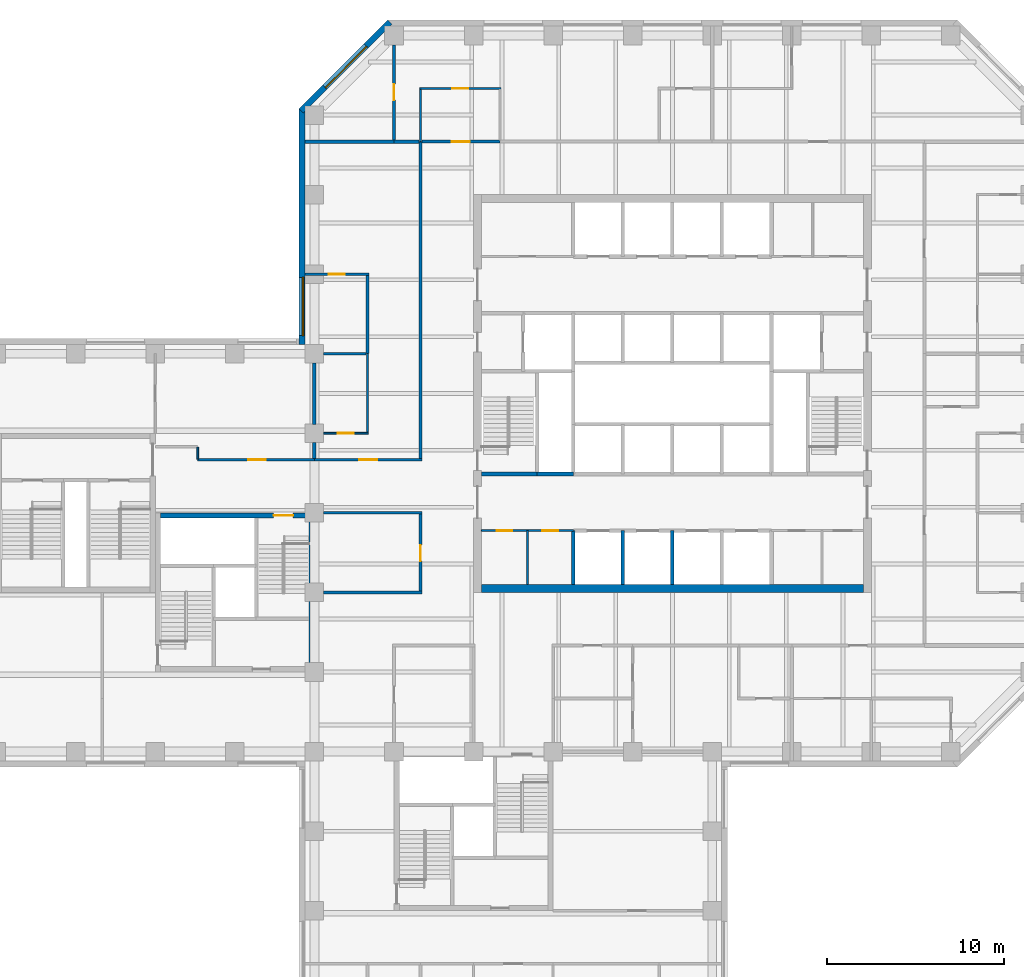
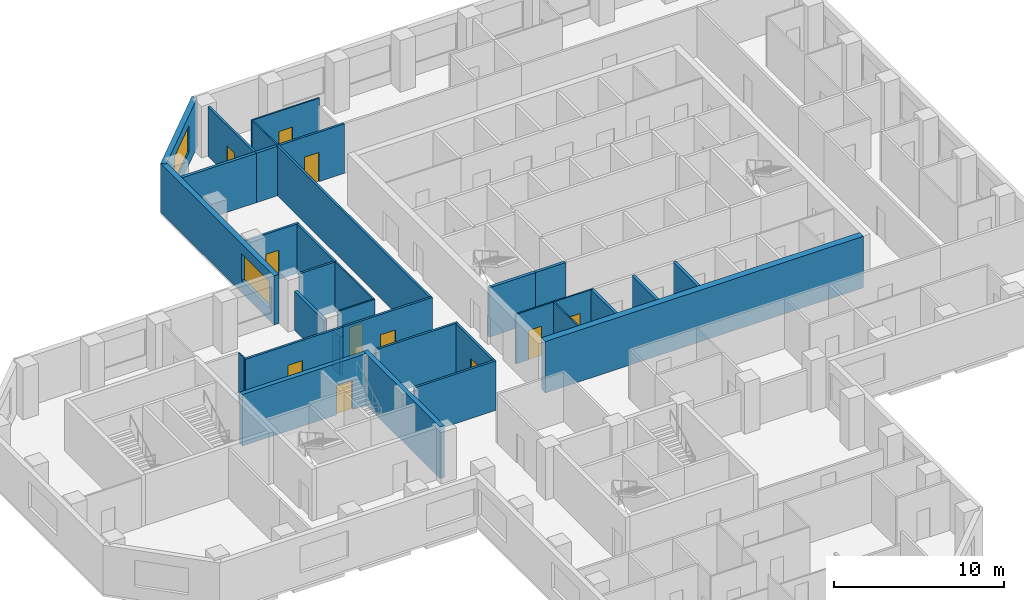
# One storey, part 6 of 11: 32 walls, 11 doors, 2 windows, 13 openings.
"""IFC4 building model written with IfcOpenShell, lengths in metres."""

from ifc_helpers import new_model, si_unit, direction, frame, frame_2d, origin, place, context, subcontext, project, spatial, rectangle, extrude, material, layer, layer_set, constituent, constituent_set, type_object, element, fill, save


model = new_model("IFC4")

# Units and contexts
model_context = context("Model", 3, precision=1e-05, world=origin(), true_north=direction((0.0, 1.0)))
body_context = subcontext(model_context, "Body", "Model", "MODEL_VIEW")
ifc_project = project(units=[si_unit("LENGTHUNIT", "METRE"), si_unit("AREAUNIT", "SQUARE_METRE"), si_unit("VOLUMEUNIT", "CUBIC_METRE"), si_unit("PLANEANGLEUNIT", "RADIAN"), si_unit("MASSUNIT", "GRAM", prefix="KILO")], contexts=[model_context])

# Site, building, storey
site_placement = place(None, origin())
site = spatial("IfcSite", under=ifc_project, at=site_placement, CompositionType="ELEMENT")
building_placement = place(site_placement, origin())
building = spatial("IfcBuilding", under=site, at=building_placement, Name="Quoin Convention Tower", CompositionType="ELEMENT")
storey_placement = place(building_placement, frame((0.0, 0.0, 130.699951171875)))
storey = spatial("IfcBuildingStorey", under=building, at=storey_placement, Name="L34", CompositionType="ELEMENT", Elevation=130.699951171875)

# Wall
ifc_material_1 = material(Name="Plasterboard")
ifc_layer_1 = layer(ifc_material_1, 0.012451171875, Name="Finish")
ifc_material_2 = material(Name="Steel stud framing", Category="steel")
ifc_layer_2 = layer(ifc_material_2, 0.125, Name="Structure")
ifc_layer_3 = layer(ifc_material_1, 0.012451171875, Name="Finish")
ifc_layer_set_1 = layer_set([ifc_layer_1, ifc_layer_2, ifc_layer_3], Name="Steel stud framing")
wall_type_1 = type_object("IfcWallType", Name="Acoustic partition 150", PredefinedType="PARTITIONING", material=ifc_layer_set_1)
wall_1_placement = place(storey_placement, frame((36.52490234375, 63.0, 0.0), z_axis=(0.0, 0.0, 1.0), x_axis=(1.0, 0.0, 0.0)))
element("IfcWall", 1, at=wall_1_placement, inside=storey, type_object=wall_type_1, Name="pw-L34-042", PredefinedType="PARTITIONING", context=body_context, shape_type="SweptSolid", body=[
    extrude(rectangle(XDim=2.400146484375, YDim=0.14990234375, at=frame_2d((1.2001953125, 0.0))), origin(), (0.0, 0.0, 1.0), 3.550048828125),
])

# Wall, opening, door
wall_2_placement = place(storey_placement, frame((35.47509765625, 67.5, 0.0), z_axis=(0.0, 0.0, 1.0), x_axis=(1.0, 0.0, 0.0)))
wall_2 = element("IfcWall", 2, at=wall_2_placement, inside=storey, type_object=wall_type_1, Name="pw-L34-045", PredefinedType="PARTITIONING", context=body_context, shape_type="SweptSolid", body=[
    extrude(rectangle(XDim=3.599853515625, YDim=0.14990234375, at=frame_2d((1.7998046875, 0.0))), origin(), (0.0, 0.0, 1.0), 3.550048828125),
])
opening_1_placement = place(wall_2_placement, frame((1.35009765625, 0.0, 0.0)))
opening_1 = element("IfcOpeningElement", 3, at=opening_1_placement, cuts=wall_2, Name="Opening DOL7-19", PredefinedType="OPENING", context=body_context, shape_type="SweptSolid", body=[
    extrude(rectangle(XDim=0.89990234375, YDim=2.10009765625, at=frame_2d((0.449951171875, 1.050048828125))), frame((0.0, 0.0849609375, 0.0), z_axis=(0.0, -1.0, 0.0), x_axis=(1.0, 0.0, 0.0)), (0.0, 0.0, 1.0), 0.169921875),
])
ifc_material_3 = material(Name="Steel door leaf", Category="steel")
door_type_1 = type_object("IfcDoorType", Name="Office door 900 x 2100", OperationType="SINGLE_SWING_RIGHT", PredefinedType="DOOR", material=ifc_material_3)
door_1_placement = place(opening_1_placement, origin())
door_1 = element("IfcDoor", 4, at=door_1_placement, inside=storey, type_object=door_type_1, Name="dr-L34-40", OperationType="SINGLE_SWING_RIGHT", OverallHeight=2.10009765625, OverallWidth=0.89990234375, PredefinedType="DOOR", context=body_context, shape_type="SweptSolid", body=[
    extrude(rectangle(XDim=0.89990234375, YDim=2.10009765625, at=frame_2d((0.449951171875, 1.050048828125))), frame((0.0, 0.02490234375, 0.0), z_axis=(0.0, -1.0, 0.0), x_axis=(1.0, 0.0, 0.0)), (0.0, 0.0, 1.0), 0.050048828125),
])
fill(opening_1, door_1)

# Wall
wall_3_placement = place(storey_placement, frame((39.0, 63.0, 0.0), z_axis=(0.0, 0.0, 1.0), x_axis=(0.0, 1.0, 0.0)))
element("IfcWall", 5, at=wall_3_placement, inside=storey, type_object=wall_type_1, Name="pw-L34-098", PredefinedType="PARTITIONING", context=body_context, shape_type="SweptSolid", body=[
    extrude(rectangle(XDim=4.425048828125, YDim=0.14990234375, at=frame_2d((2.21240234375, 0.0))), origin(), (0.0, 0.0, 1.0), 3.550048828125),
])

# Wall, opening, door
wall_4_placement = place(storey_placement, frame((40.5, 75.10009765625, 0.0), z_axis=(0.0, 0.0, 1.0), x_axis=(0.0, 1.0, 0.0)))
wall_4 = element("IfcWall", 6, at=wall_4_placement, inside=storey, type_object=wall_type_1, Name="pw-L34-106", PredefinedType="PARTITIONING", context=body_context, shape_type="SweptSolid", body=[
    extrude(rectangle(XDim=5.375, YDim=0.14990234375, at=frame_2d((2.6875, 0.0))), origin(), (0.0, 0.0, 1.0), 3.550048828125),
])
opening_2_placement = place(wall_4_placement, frame((2.25, 0.0, 0.0)))
opening_2 = element("IfcOpeningElement", 7, at=opening_2_placement, cuts=wall_4, Name="Opening DOL7-35", PredefinedType="OPENING", context=body_context, shape_type="SweptSolid", body=[
    extrude(rectangle(XDim=0.89990234375, YDim=2.10009765625, at=frame_2d((0.449951171875, 1.050048828125))), frame((0.0, 0.0849609375, 0.0), z_axis=(0.0, -1.0, 0.0), x_axis=(1.0, 0.0, 0.0)), (0.0, 0.0, 1.0), 0.169921875),
])
door_2_placement = place(opening_2_placement, frame((0.89990234375, 0.0, 0.0), z_axis=(0.0, 0.0, 1.0), x_axis=(-1.0, 0.0, 0.0)))
door_2 = element("IfcDoor", 8, at=door_2_placement, inside=storey, type_object=door_type_1, Name="dr-L34-35", OperationType="SINGLE_SWING_LEFT", OverallHeight=2.10009765625, OverallWidth=0.89990234375, PredefinedType="DOOR", context=body_context, shape_type="SweptSolid", body=[
    extrude(rectangle(XDim=0.89990234375, YDim=2.10009765625, at=frame_2d((0.449951171875, 1.050048828125))), frame((0.0, 0.02490234375, 0.0), z_axis=(0.0, -1.0, 0.0), x_axis=(1.0, 0.0, 0.0)), (0.0, 0.0, 1.0), 0.050048828125),
])
fill(opening_2, door_2)

# Wall, opening, window
ifc_material_4 = material(Name="Brick masonry", Category="masonry")
ifc_layer_4 = layer(ifc_material_4, 0.35009765625)
ifc_layer_set_2 = layer_set([ifc_layer_4], Name="Brick masonry")
wall_type_2 = type_object("IfcWallType", Name="Brick facade wall", PredefinedType="STANDARD", material=ifc_layer_set_2)
wall_5_placement = place(storey_placement, frame((40.26123046875, 81.751220703125, 0.0), z_axis=(0.0, 0.0, 1.0), x_axis=(-0.707106781187, -0.707106781187, 0.0)))
wall_5 = element("IfcWall", 9, at=wall_5_placement, inside=storey, type_object=wall_type_2, Name="fw-L34-40500_81000", PredefinedType="STANDARD", context=body_context, shape_type="SweptSolid", body=[
    extrude(rectangle(XDim=7.088623046875, YDim=0.35009765625, at=frame_2d((3.54443359375, 0.0))), origin(), (0.0, 0.0, 1.0), 3.525146484375),
])
opening_3_placement = place(wall_5_placement, frame((1.894287109375, 0.0, 0.89990234375)))
opening_3 = element("IfcOpeningElement", 10, at=opening_3_placement, cuts=wall_5, Name="Opening W-02", PredefinedType="OPENING", context=body_context, shape_type="SweptSolid", body=[
    extrude(rectangle(XDim=3.300048828125, YDim=1.89990234375, at=frame_2d((1.64990234375, 0.949951171875))), frame((0.0, 0.18505859375, 0.0), z_axis=(0.0, -1.0, 0.0), x_axis=(1.0, 0.0, 0.0)), (0.0, 0.0, 1.0), 0.3701171875),
])
ifc_material_5 = material(Name="Aluminium", Category="aluminium")
ifc_constituent_1 = constituent(ifc_material_5, Name="Frame")
ifc_material_6 = material(Name="Insulated glass", Category="glass")
ifc_constituent_2 = constituent(ifc_material_6, Name="Glazing")
ifc_constituent_set = constituent_set(constituents=[ifc_constituent_1, ifc_constituent_2], Name="Aluminium")
window_type = type_object("IfcWindowType", Name="Office window", PartitioningType="DOUBLE_PANEL_VERTICAL", PredefinedType="WINDOW", material=ifc_constituent_set)
window_1_placement = place(opening_3_placement, origin())
window_1 = element("IfcWindow", 11, at=window_1_placement, inside=storey, type_object=window_type, Name="win-L34-37755_79245", OverallHeight=1.89990234375, OverallWidth=3.300048828125, PartitioningType="SINGLE_PANEL", PredefinedType="WINDOW", context=body_context, shape_type="SweptSolid", body=[
    extrude(rectangle(XDim=3.300048828125, YDim=1.89990234375, at=frame_2d((1.64990234375, 0.949951171875))), frame((0.0, 0.0849609375, 0.0), z_axis=(0.0, -1.0, 0.0), x_axis=(1.0, 0.0, 0.0)), (0.0, 0.0, 1.0), 0.06005859375),
])
fill(opening_3, window_1)

wall_6_placement = place(storey_placement, frame((35.300048828125, 76.8623046875, 0.0), z_axis=(0.0, 0.0, 1.0), x_axis=(0.0, -1.0, 0.0)))
wall_6 = element("IfcWall", 12, at=wall_6_placement, inside=storey, type_object=wall_type_2, Name="fw-L34-36000_76500", PredefinedType="STANDARD", context=body_context, shape_type="SweptSolid", body=[
    extrude(rectangle(XDim=13.33740234375, YDim=0.35009765625, at=frame_2d((6.668701171875, 0.0))), origin(), (0.0, 0.0, 1.0), 3.525146484375),
])
opening_4_placement = place(wall_6_placement, frame((9.537353515625, 0.0, 0.89990234375)))
opening_4 = element("IfcOpeningElement", 13, at=opening_4_placement, cuts=wall_6, Name="Opening W-02", PredefinedType="OPENING", context=body_context, shape_type="SweptSolid", body=[
    extrude(rectangle(XDim=3.300048828125, YDim=1.89990234375, at=frame_2d((1.64990234375, 0.949951171875))), frame((0.0, 0.18505859375, 0.0), z_axis=(0.0, -1.0, 0.0), x_axis=(1.0, 0.0, 0.0)), (0.0, 0.0, 1.0), 0.3701171875),
])
window_2_placement = place(opening_4_placement, origin())
window_2 = element("IfcWindow", 14, at=window_2_placement, inside=storey, type_object=window_type, Name="win-L34-35300_65250", OverallHeight=1.89990234375, OverallWidth=3.300048828125, PartitioningType="SINGLE_PANEL", PredefinedType="WINDOW", context=body_context, shape_type="SweptSolid", body=[
    extrude(rectangle(XDim=3.300048828125, YDim=1.89990234375, at=frame_2d((1.64990234375, 0.949951171875))), frame((0.0, 0.0849609375, 0.0), z_axis=(0.0, -1.0, 0.0), x_axis=(1.0, 0.0, 0.0)), (0.0, 0.0, 1.0), 0.06005859375),
])
fill(opening_4, window_2)

# Wall, openings, doors
ifc_layer_5 = layer(ifc_material_1, 0.012451171875, Name="Finish")
ifc_layer_6 = layer(ifc_material_2, 0.074951171875, Name="Structure")
ifc_layer_7 = layer(ifc_material_1, 0.012451171875, Name="Finish")
ifc_layer_set_3 = layer_set([ifc_layer_5, ifc_layer_6, ifc_layer_7], Name="Steel stud framing")
wall_type_3 = type_object("IfcWallType", Name="Core partition wall", PredefinedType="PARTITIONING", material=ifc_layer_set_3)
wall_7_placement = place(storey_placement, frame((45.449951171875, 53.0, 0.0), z_axis=(0.0, 0.0, 1.0), x_axis=(1.0, 0.0, 0.0)))
wall_7 = element("IfcWall", 15, at=wall_7_placement, inside=storey, type_object=wall_type_3, Name="cr-C1-L34-h3500_450", PredefinedType="PARTITIONING", context=body_context, shape_type="SweptSolid", body=[
    extrude(rectangle(XDim=5.199951171875, YDim=0.10009765625, at=frame_2d((2.60009765625, 0.0))), origin(), (0.0, 0.0, 1.0), 3.550048828125),
])
opening_5_placement = place(wall_7_placement, frame((0.85009765625, 0.0, 0.0)))
opening_5 = element("IfcOpeningElement", 16, at=opening_5_placement, cuts=wall_7, Name="Opening DCV0-47", PredefinedType="OPENING", context=body_context, shape_type="SweptSolid", body=[
    extrude(rectangle(XDim=0.89990234375, YDim=2.10009765625, at=frame_2d((0.449951171875, 1.050048828125))), frame((0.0, 0.06005859375, 0.0), z_axis=(0.0, -1.0, 0.0), x_axis=(1.0, 0.0, 0.0)), (0.0, 0.0, 1.0), 0.1201171875),
])
opening_6_placement = place(wall_7_placement, frame((3.449951171875, 0.0, 0.0)))
opening_6 = element("IfcOpeningElement", 17, at=opening_6_placement, cuts=wall_7, Name="Opening DCV0-48", PredefinedType="OPENING", context=body_context, shape_type="SweptSolid", body=[
    extrude(rectangle(XDim=0.89990234375, YDim=2.10009765625, at=frame_2d((0.449951171875, 1.050048828125))), frame((0.0, 0.06005859375, 0.0), z_axis=(0.0, -1.0, 0.0), x_axis=(1.0, 0.0, 0.0)), (0.0, 0.0, 1.0), 0.1201171875),
])
door_type_2 = type_object("IfcDoorType", Name="Core room door 900 x 2100", OperationType="SINGLE_SWING_LEFT", PredefinedType="DOOR", material=ifc_material_3)
door_3_placement = place(opening_5_placement, frame((0.89990234375, 0.0, 0.0), z_axis=(0.0, 0.0, 1.0), x_axis=(-1.0, 0.0, 0.0)))
door_3 = element("IfcDoor", 18, at=door_3_placement, inside=storey, type_object=door_type_2, Name="cd-C1-L34-CSW0-lobA-CD3412", OperationType="SINGLE_SWING_LEFT", OverallHeight=2.10009765625, OverallWidth=0.89990234375, PredefinedType="DOOR", context=body_context, shape_type="SweptSolid", body=[
    extrude(rectangle(XDim=0.89990234375, YDim=2.10009765625, at=frame_2d((0.449951171875, 1.050048828125))), frame((0.0, 0.02490234375, 0.0), z_axis=(0.0, -1.0, 0.0), x_axis=(1.0, 0.0, 0.0)), (0.0, 0.0, 1.0), 0.050048828125),
])
fill(opening_5, door_3)
door_4_placement = place(opening_6_placement, frame((0.89990234375, 0.0, 0.0), z_axis=(0.0, 0.0, 1.0), x_axis=(-1.0, 0.0, 0.0)))
door_4 = element("IfcDoor", 19, at=door_4_placement, inside=storey, type_object=door_type_2, Name="cd-C1-L34-CSW1-lobA-CD3413", OperationType="SINGLE_SWING_LEFT", OverallHeight=2.10009765625, OverallWidth=0.89990234375, PredefinedType="DOOR", context=body_context, shape_type="SweptSolid", body=[
    extrude(rectangle(XDim=0.89990234375, YDim=2.10009765625, at=frame_2d((0.449951171875, 1.050048828125))), frame((0.0, 0.02490234375, 0.0), z_axis=(0.0, -1.0, 0.0), x_axis=(1.0, 0.0, 0.0)), (0.0, 0.0, 1.0), 0.050048828125),
])
fill(opening_6, door_4)

# Walls
wall_8_placement = place(storey_placement, frame((48.050048828125, 49.949951171875, 0.0), z_axis=(0.0, 0.0, 1.0), x_axis=(0.0, 1.0, 0.0)))
element("IfcWall", 20, at=wall_8_placement, inside=storey, type_object=wall_type_3, Name="cr-C1-L34-v3050_450", PredefinedType="PARTITIONING", context=body_context, shape_type="SweptSolid", body=[
    extrude(rectangle(XDim=3.050048828125, YDim=0.10009765625, at=frame_2d((1.52490234375, 0.0))), origin(), (0.0, 0.0, 1.0), 3.550048828125),
])
ifc_material_7 = material(Name="Concrete C50", Category="concrete")
ifc_layer_8 = layer(ifc_material_7, 0.199951171875)
ifc_layer_set_4 = layer_set([ifc_layer_8], Name="Concrete C50")
wall_type_4 = type_object("IfcWallType", Name="Core shaft wall", PredefinedType="SOLIDWALL", material=ifc_layer_set_4)
wall_9_placement = place(storey_placement, frame((48.60009765625, 56.199951171875, 0.0), z_axis=(0.0, 0.0, 1.0), x_axis=(1.0, 0.0, 0.0)))
element("IfcWall", 21, at=wall_9_placement, inside=storey, type_object=wall_type_4, Name="cr-C1-L34-h6700_3600", PredefinedType="SOLIDWALL", context=body_context, shape_type="SweptSolid", body=[
    extrude(rectangle(XDim=2.0498046875, YDim=0.199951171875, at=frame_2d((1.02490234375, 0.0))), origin(), (0.0, 0.0, 1.0), 3.550048828125),
])
wall_10_placement = place(storey_placement, frame((45.449951171875, 56.199951171875, 0.0), z_axis=(0.0, 0.0, 1.0), x_axis=(1.0, 0.0, 0.0)))
element("IfcWall", 22, at=wall_10_placement, inside=storey, type_object=wall_type_4, Name="cr-C1-L34-h6700_450", PredefinedType="SOLIDWALL", context=body_context, shape_type="SweptSolid", body=[
    extrude(rectangle(XDim=3.150146484375, YDim=0.199951171875, at=frame_2d((1.5751953125, 0.0))), origin(), (0.0, 0.0, 1.0), 3.550048828125),
])
for number, where, z_axis, x_axis, name in (
    (23, (50.64990234375, 49.949951171875, 0.0), (0.0, 0.0, 1.0), (0.0, 1.0, 0.0), "cr-C1-L34-v5650_450"),
    (24, (53.449951171875, 49.949951171875, 0.0), (0.0, 0.0, 1.0), (0.0, 1.0, 0.0), "cr-C1-L34-v8450_450"),
    (25, (56.25, 49.949951171875, 0.0), (0.0, 0.0, 1.0), (0.0, 1.0, 0.0), "cr-C1-L34-v11250_450"),
):
    element("IfcWall", number, at=place(storey_placement, frame(where, z_axis=z_axis, x_axis=x_axis)), inside=storey, type_object=wall_type_4, Name=name, PredefinedType="SOLIDWALL", context=body_context, shape_type="SweptSolid", body=[
        extrude(rectangle(XDim=3.050048828125, YDim=0.199951171875, at=frame_2d((1.52490234375, 0.0))), origin(), (0.0, 0.0, 1.0), 3.550048828125),
    ])
ifc_layer_9 = layer(ifc_material_1, 0.012451171875, Name="Finish")
ifc_layer_10 = layer(ifc_material_2, 0.125, Name="Structure")
ifc_layer_11 = layer(ifc_material_1, 0.012451171875, Name="Finish")
ifc_layer_set_5 = layer_set([ifc_layer_9, ifc_layer_10, ifc_layer_11], Name="Steel stud framing")
wall_type_5 = type_object("IfcWallType", Name="Corridor wall 150", PredefinedType="PARTITIONING", material=ifc_layer_set_5)
for number, where, z_axis, x_axis, name in (
    (26, (36.52490234375, 49.5, 0.0), (0.0, 0.0, 1.0), (1.0, 0.0, 0.0), "pw-L34-031"),
    (27, (36.52490234375, 54.0, 0.0), (0.0, 0.0, 1.0), (1.0, 0.0, 0.0), "pw-L34-034"),
):
    element("IfcWall", number, at=place(storey_placement, frame(where, z_axis=z_axis, x_axis=x_axis)), inside=storey, type_object=wall_type_5, Name=name, PredefinedType="PARTITIONING", context=body_context, shape_type="SweptSolid", body=[
        extrude(rectangle(XDim=5.550048828125, YDim=0.14990234375, at=frame_2d((2.77490234375, 0.0))), origin(), (0.0, 0.0, 1.0), 3.550048828125),
    ])

# Wall, opening, door
wall_11_placement = place(storey_placement, frame((29.3798828125, 57.0, 0.0), z_axis=(0.0, 0.0, 1.0), x_axis=(1.0, 0.0, 0.0)))
wall_11 = element("IfcWall", 28, at=wall_11_placement, inside=storey, type_object=wall_type_5, Name="pw-L34-036", PredefinedType="PARTITIONING", context=body_context, shape_type="SweptSolid", body=[
    extrude(rectangle(XDim=6.6201171875, YDim=0.14990234375, at=frame_2d((3.31005859375, 0.0))), origin(), (0.0, 0.0, 1.0), 3.550048828125),
])
opening_7_placement = place(wall_11_placement, frame((2.8798828125, 0.0, 0.0)))
opening_7 = element("IfcOpeningElement", 29, at=opening_7_placement, cuts=wall_11, Name="Opening DOL7-14", PredefinedType="OPENING", context=body_context, shape_type="SweptSolid", body=[
    extrude(rectangle(XDim=1.0, YDim=2.10009765625, at=frame_2d((0.5, 1.050048828125))), frame((0.0, 0.0849609375, 0.0), z_axis=(0.0, -1.0, 0.0), x_axis=(1.0, 0.0, 0.0)), (0.0, 0.0, 1.0), 0.169921875),
])
door_type_3 = type_object("IfcDoorType", Name="Tenancy entrance door 1000 x 2100", OperationType="DOUBLE_DOOR_SINGLE_SWING", PredefinedType="DOOR", material=ifc_material_3)
door_5_placement = place(opening_7_placement, origin())
door_5 = element("IfcDoor", 30, at=door_5_placement, inside=storey, type_object=door_type_3, Name="dr-L34-w01", OperationType="DOUBLE_DOOR_SINGLE_SWING", OverallHeight=2.10009765625, OverallWidth=1.0, PredefinedType="DOOR", context=body_context, shape_type="SweptSolid", body=[
    extrude(rectangle(XDim=1.0, YDim=2.10009765625, at=frame_2d((0.5, 1.050048828125))), frame((0.0, 0.02490234375, 0.0), z_axis=(0.0, -1.0, 0.0), x_axis=(1.0, 0.0, 0.0)), (0.0, 0.0, 1.0), 0.050048828125),
])
fill(opening_7, door_5)

wall_12_placement = place(storey_placement, frame((36.0, 57.0, 0.0), z_axis=(0.0, 0.0, 1.0), x_axis=(1.0, 0.0, 0.0)))
wall_12 = element("IfcWall", 31, at=wall_12_placement, inside=storey, type_object=wall_type_5, Name="pw-L34-037", PredefinedType="PARTITIONING", context=body_context, shape_type="SweptSolid", body=[
    extrude(rectangle(XDim=6.074951171875, YDim=0.14990234375, at=frame_2d((3.03759765625, 0.0))), origin(), (0.0, 0.0, 1.0), 3.550048828125),
])
opening_8_placement = place(wall_12_placement, frame((2.550048828125, 0.0, 0.0)))
opening_8 = element("IfcOpeningElement", 32, at=opening_8_placement, cuts=wall_12, Name="Opening DOL7-15", PredefinedType="OPENING", context=body_context, shape_type="SweptSolid", body=[
    extrude(rectangle(XDim=1.0, YDim=2.10009765625, at=frame_2d((0.5, 1.050048828125))), frame((0.0, 0.0849609375, 0.0), z_axis=(0.0, -1.0, 0.0), x_axis=(1.0, 0.0, 0.0)), (0.0, 0.0, 1.0), 0.169921875),
])
door_6_placement = place(opening_8_placement, origin())
door_6 = element("IfcDoor", 33, at=door_6_placement, inside=storey, type_object=door_type_3, Name="dr-L34-38", OperationType="DOUBLE_DOOR_SINGLE_SWING", OverallHeight=2.10009765625, OverallWidth=1.0, PredefinedType="DOOR", context=body_context, shape_type="SweptSolid", body=[
    extrude(rectangle(XDim=1.0, YDim=2.10009765625, at=frame_2d((0.5, 1.050048828125))), frame((0.0, 0.02490234375, 0.0), z_axis=(0.0, -1.0, 0.0), x_axis=(1.0, 0.0, 0.0)), (0.0, 0.0, 1.0), 0.050048828125),
])
fill(opening_8, door_6)

wall_13_placement = place(storey_placement, frame((42.074951171875, 75.0, 0.0), z_axis=(0.0, 0.0, 1.0), x_axis=(1.0, 0.0, 0.0)))
wall_13 = element("IfcWall", 34, at=wall_13_placement, inside=storey, type_object=wall_type_5, Name="pw-L34-050", PredefinedType="PARTITIONING", context=body_context, shape_type="SweptSolid", body=[
    extrude(rectangle(XDim=4.425048828125, YDim=0.14990234375, at=frame_2d((2.21240234375, 0.0))), origin(), (0.0, 0.0, 1.0), 3.550048828125),
])
opening_9_placement = place(wall_13_placement, frame((1.699951171875, 0.0, 0.0)))
opening_9 = element("IfcOpeningElement", 35, at=opening_9_placement, cuts=wall_13, Name="Opening DOL7-21", PredefinedType="OPENING", context=body_context, shape_type="SweptSolid", body=[
    extrude(rectangle(XDim=1.0, YDim=2.10009765625, at=frame_2d((0.5, 1.050048828125))), frame((0.0, 0.0849609375, 0.0), z_axis=(0.0, -1.0, 0.0), x_axis=(1.0, 0.0, 0.0)), (0.0, 0.0, 1.0), 0.169921875),
])
door_7_placement = place(opening_9_placement, frame((1.0, 0.0, 0.0), z_axis=(0.0, 0.0, 1.0), x_axis=(-1.0, 0.0, 0.0)))
door_7 = element("IfcDoor", 36, at=door_7_placement, inside=storey, type_object=door_type_3, Name="dr-L34-32", OperationType="DOUBLE_DOOR_SINGLE_SWING", OverallHeight=2.10009765625, OverallWidth=1.0, PredefinedType="DOOR", context=body_context, shape_type="SweptSolid", body=[
    extrude(rectangle(XDim=1.0, YDim=2.10009765625, at=frame_2d((0.5, 1.050048828125))), frame((0.0, 0.02490234375, 0.0), z_axis=(0.0, -1.0, 0.0), x_axis=(1.0, 0.0, 0.0)), (0.0, 0.0, 1.0), 0.050048828125),
])
fill(opening_9, door_7)

wall_14_placement = place(storey_placement, frame((42.0, 49.574951171875, 0.0), z_axis=(0.0, 0.0, 1.0), x_axis=(0.0, 1.0, 0.0)))
wall_14 = element("IfcWall", 37, at=wall_14_placement, inside=storey, type_object=wall_type_5, Name="pw-L34-087", PredefinedType="PARTITIONING", context=body_context, shape_type="SweptSolid", body=[
    extrude(rectangle(XDim=4.35009765625, YDim=0.14990234375, at=frame_2d((2.175048828125, 0.0))), origin(), (0.0, 0.0, 1.0), 3.550048828125),
])
opening_10_placement = place(wall_14_placement, frame((1.699951171875, 0.0, 0.0)))
opening_10 = element("IfcOpeningElement", 38, at=opening_10_placement, cuts=wall_14, Name="Opening DOL7-32", PredefinedType="OPENING", context=body_context, shape_type="SweptSolid", body=[
    extrude(rectangle(XDim=0.89990234375, YDim=2.10009765625, at=frame_2d((0.449951171875, 1.050048828125))), frame((0.0, 0.0849609375, 0.0), z_axis=(0.0, -1.0, 0.0), x_axis=(1.0, 0.0, 0.0)), (0.0, 0.0, 1.0), 0.169921875),
])
door_8_placement = place(opening_10_placement, origin())
door_8 = element("IfcDoor", 39, at=door_8_placement, inside=storey, type_object=door_type_1, Name="dr-L34-01", OperationType="SINGLE_SWING_RIGHT", OverallHeight=2.10009765625, OverallWidth=0.89990234375, PredefinedType="DOOR", context=body_context, shape_type="SweptSolid", body=[
    extrude(rectangle(XDim=0.89990234375, YDim=2.10009765625, at=frame_2d((0.449951171875, 1.050048828125))), frame((0.0, 0.02490234375, 0.0), z_axis=(0.0, -1.0, 0.0), x_axis=(1.0, 0.0, 0.0)), (0.0, 0.0, 1.0), 0.050048828125),
])
fill(opening_10, door_8)

# Wall
wall_15_placement = place(storey_placement, frame((42.0, 57.074951171875, 0.0), z_axis=(0.0, 0.0, 1.0), x_axis=(0.0, 1.0, 0.0)))
element("IfcWall", 40, at=wall_15_placement, inside=storey, type_object=wall_type_5, Name="pw-L34-091", PredefinedType="PARTITIONING", context=body_context, shape_type="SweptSolid", body=[
    extrude(rectangle(XDim=17.925048828125, YDim=0.14990234375, at=frame_2d((8.96240234375, 0.0))), origin(), (0.0, 0.0, 1.0), 3.550048828125),
])

# Wall, opening, door
ifc_material_8 = material(Name="Concrete C65", Category="concrete")
ifc_layer_12 = layer(ifc_material_8, 0.300048828125)
ifc_layer_set_6 = layer_set([ifc_layer_12], Name="Concrete C65")
wall_type_6 = type_object("IfcWallType", Name="RC CORE WALL 300 C65", PredefinedType="SHEAR", material=ifc_layer_set_6)
wall_16_placement = place(storey_placement, frame((27.300048828125, 53.85009765625, 0.0), z_axis=(0.0, 0.0, 1.0), x_axis=(1.0, 0.0, 0.0)))
wall_16 = element("IfcWall", 41, at=wall_16_placement, inside=storey, type_object=wall_type_6, Name="cwl-P2-L34-N", PredefinedType="SHEAR", context=body_context, shape_type="SweptSolid", body=[
    extrude(rectangle(XDim=8.39990234375, YDim=0.300048828125, at=frame_2d((4.199951171875, 0.0))), origin(), (0.0, 0.0, 1.0), 3.699951171875),
])
opening_11_placement = place(wall_16_placement, frame((6.39990234375, 0.0, 0.0)))
opening_11 = element("IfcOpeningElement", 42, at=opening_11_placement, cuts=wall_16, Name="Opening SD4", PredefinedType="OPENING", context=body_context, shape_type="SweptSolid", body=[
    extrude(rectangle(XDim=1.10009765625, YDim=2.10009765625, at=frame_2d((0.550048828125, 1.050048828125))), frame((0.0, 0.159912109375, 0.0), z_axis=(0.0, -1.0, 0.0), x_axis=(1.0, 0.0, 0.0)), (0.0, 0.0, 1.0), 0.320068359375),
])
door_type_4 = type_object("IfcDoorType", Name="Stair door 1100 x 2100", OperationType="SINGLE_SWING_RIGHT", PredefinedType="DOOR", material=ifc_material_3)
door_9_placement = place(opening_11_placement, frame((1.10009765625, 0.0, 0.0), z_axis=(0.0, 0.0, 1.0), x_axis=(-1.0, 0.0, 0.0)))
door_9 = element("IfcDoor", 43, at=door_9_placement, inside=storey, type_object=door_type_4, Name="cd-P2-L34-SB-N", OperationType="SINGLE_SWING_LEFT", OverallHeight=2.10009765625, OverallWidth=1.10009765625, PredefinedType="DOOR", context=body_context, shape_type="SweptSolid", body=[
    extrude(rectangle(XDim=1.10009765625, YDim=2.10009765625, at=frame_2d((0.550048828125, 1.050048828125))), frame((0.0, 0.02490234375, 0.0), z_axis=(0.0, -1.0, 0.0), x_axis=(1.0, 0.0, 0.0)), (0.0, 0.0, 1.0), 0.050048828125),
])
fill(opening_11, door_9)

# Walls
wall_17_placement = place(storey_placement, frame((35.85009765625, 45.0, 0.0), z_axis=(0.0, 0.0, 1.0), x_axis=(0.0, 1.0, 0.0)))
element("IfcWall", 44, at=wall_17_placement, inside=storey, type_object=wall_type_6, Name="cwl-P2-L34-E", PredefinedType="SHEAR", context=body_context, shape_type="SweptSolid", body=[
    extrude(rectangle(XDim=9.0, YDim=0.300048828125, at=frame_2d((4.5, 0.0))), origin(), (0.0, 0.0, 1.0), 3.699951171875),
])
ifc_layer_13 = layer(ifc_material_8, 0.449951171875)
ifc_layer_set_7 = layer_set([ifc_layer_13], Name="Concrete C65")
wall_type_7 = type_object("IfcWallType", Name="RC CORE WALL 450 C65", PredefinedType="SHEAR", material=ifc_layer_set_7)
wall_18_placement = place(storey_placement, frame((45.449951171875, 49.72509765625, 0.0), z_axis=(0.0, 0.0, 1.0), x_axis=(1.0, 0.0, 0.0)))
element("IfcWall", 45, at=wall_18_placement, inside=storey, type_object=wall_type_7, Name="cwl-C1-L34-S", PredefinedType="SHEAR", context=body_context, shape_type="SweptSolid", body=[
    extrude(rectangle(XDim=21.60009765625, YDim=0.449951171875, at=frame_2d((10.800048828125, 0.0))), origin(), (0.0, 0.0, 1.0), 3.699951171875),
])

# Wall, opening, door
ifc_layer_14 = layer(ifc_material_1, 0.012451171875, Name="Finish")
ifc_layer_15 = layer(ifc_material_2, 0.074951171875, Name="Structure")
ifc_layer_16 = layer(ifc_material_1, 0.012451171875, Name="Finish")
ifc_layer_set_8 = layer_set([ifc_layer_14, ifc_layer_15, ifc_layer_16], Name="Steel stud framing")
wall_type_8 = type_object("IfcWallType", Name="Stud partition 100", PredefinedType="PARTITIONING", material=ifc_layer_set_8)
wall_19_placement = place(storey_placement, frame((36.52490234375, 58.5, 0.0), z_axis=(0.0, 0.0, 1.0), x_axis=(1.0, 0.0, 0.0)))
wall_19 = element("IfcWall", 46, at=wall_19_placement, inside=storey, type_object=wall_type_8, Name="pw-L34-038", PredefinedType="PARTITIONING", context=body_context, shape_type="SweptSolid", body=[
    extrude(rectangle(XDim=2.525146484375, YDim=0.10009765625, at=frame_2d((1.2626953125, 0.0))), origin(), (0.0, 0.0, 1.0), 3.550048828125),
])
opening_12_placement = place(wall_19_placement, frame((0.800048828125, 0.0, 0.0)))
opening_12 = element("IfcOpeningElement", 47, at=opening_12_placement, cuts=wall_19, Name="Opening DOL7-16", PredefinedType="OPENING", context=body_context, shape_type="SweptSolid", body=[
    extrude(rectangle(XDim=0.89990234375, YDim=2.10009765625, at=frame_2d((0.449951171875, 1.050048828125))), frame((0.0, 0.06005859375, 0.0), z_axis=(0.0, -1.0, 0.0), x_axis=(1.0, 0.0, 0.0)), (0.0, 0.0, 1.0), 0.1201171875),
])
door_10_placement = place(opening_12_placement, frame((0.89990234375, 0.0, 0.0), z_axis=(0.0, 0.0, 1.0), x_axis=(-1.0, 0.0, 0.0)))
door_10 = element("IfcDoor", 48, at=door_10_placement, inside=storey, type_object=door_type_1, Name="dr-L34-39", OperationType="SINGLE_SWING_LEFT", OverallHeight=2.10009765625, OverallWidth=0.89990234375, PredefinedType="DOOR", context=body_context, shape_type="SweptSolid", body=[
    extrude(rectangle(XDim=0.89990234375, YDim=2.10009765625, at=frame_2d((0.449951171875, 1.050048828125))), frame((0.0, 0.02490234375, 0.0), z_axis=(0.0, -1.0, 0.0), x_axis=(1.0, 0.0, 0.0)), (0.0, 0.0, 1.0), 0.050048828125),
])
fill(opening_12, door_10)

wall_20_placement = place(storey_placement, frame((41.949951171875, 78.0, 0.0), z_axis=(0.0, 0.0, 1.0), x_axis=(1.0, 0.0, 0.0)))
wall_20 = element("IfcWall", 49, at=wall_20_placement, inside=storey, type_object=wall_type_8, Name="pw-L34-055", PredefinedType="PARTITIONING", context=body_context, shape_type="SweptSolid", body=[
    extrude(rectangle(XDim=4.60009765625, YDim=0.10009765625, at=frame_2d((2.300048828125, 0.0))), origin(), (0.0, 0.0, 1.0), 3.550048828125),
])
opening_13_placement = place(wall_20_placement, frame((1.85009765625, 0.0, 0.0)))
opening_13 = element("IfcOpeningElement", 50, at=opening_13_placement, cuts=wall_20, Name="Opening DOL7-23", PredefinedType="OPENING", context=body_context, shape_type="SweptSolid", body=[
    extrude(rectangle(XDim=0.89990234375, YDim=2.10009765625, at=frame_2d((0.449951171875, 1.050048828125))), frame((0.0, 0.06005859375, 0.0), z_axis=(0.0, -1.0, 0.0), x_axis=(1.0, 0.0, 0.0)), (0.0, 0.0, 1.0), 0.1201171875),
])
door_11_placement = place(opening_13_placement, origin())
door_11 = element("IfcDoor", 51, at=door_11_placement, inside=storey, type_object=door_type_1, Name="dr-L34-33", OperationType="SINGLE_SWING_RIGHT", OverallHeight=2.10009765625, OverallWidth=0.89990234375, PredefinedType="DOOR", context=body_context, shape_type="SweptSolid", body=[
    extrude(rectangle(XDim=0.89990234375, YDim=2.10009765625, at=frame_2d((0.449951171875, 1.050048828125))), frame((0.0, 0.02490234375, 0.0), z_axis=(0.0, -1.0, 0.0), x_axis=(1.0, 0.0, 0.0)), (0.0, 0.0, 1.0), 0.050048828125),
])
fill(opening_13, door_11)

# Walls
wall_21_placement = place(storey_placement, frame((39.0, 58.550048828125, 0.0), z_axis=(0.0, 0.0, 1.0), x_axis=(0.0, 1.0, 0.0)))
element("IfcWall", 52, at=wall_21_placement, inside=storey, type_object=wall_type_8, Name="pw-L34-092", PredefinedType="PARTITIONING", context=body_context, shape_type="SweptSolid", body=[
    extrude(rectangle(XDim=4.449951171875, YDim=0.10009765625, at=frame_2d((2.22509765625, 0.0))), origin(), (0.0, 0.0, 1.0), 3.550048828125),
])
wall_22_placement = place(storey_placement, frame((42.0, 75.0, 0.0), z_axis=(0.0, 0.0, 1.0), x_axis=(0.0, 1.0, 0.0)))
element("IfcWall", 53, at=wall_22_placement, inside=storey, type_object=wall_type_8, Name="pw-L34-102", PredefinedType="PARTITIONING", context=body_context, shape_type="SweptSolid", body=[
    extrude(rectangle(XDim=2.949951171875, YDim=0.10009765625, at=frame_2d((1.47509765625, 0.0))), origin(), (0.0, 0.0, 1.0), 3.550048828125),
])
wall_23_placement = place(storey_placement, frame((29.39990234375, 57.715087890625, 0.0), z_axis=(0.0, 0.0, 1.0), x_axis=(0.0, -1.0, 0.0)))
element("IfcWall", 54, at=wall_23_placement, inside=storey, type_object=wall_type_8, Name="pw-L34-w04", PredefinedType="PARTITIONING", context=body_context, shape_type="SweptSolid", body=[
    extrude(rectangle(XDim=0.68017578125, YDim=0.10009765625, at=frame_2d((0.340087890625, 0.0))), origin(), (0.0, 0.0, 1.0), 3.550048828125),
])
ifc_layer_17 = layer(ifc_material_1, 0.012451171875, Name="Finish")
ifc_layer_18 = layer(ifc_material_2, 0.175048828125, Name="Structure")
ifc_layer_19 = layer(ifc_material_1, 0.012451171875, Name="Finish")
ifc_layer_set_9 = layer_set([ifc_layer_17, ifc_layer_18, ifc_layer_19], Name="Steel stud framing")
wall_type_9 = type_object("IfcWallType", Name="Tenancy demising wall 200", PredefinedType="PARTITIONING", material=ifc_layer_set_9)
wall_24_placement = place(storey_placement, frame((35.47509765625, 75.0, 0.0), z_axis=(0.0, 0.0, 1.0), x_axis=(1.0, 0.0, 0.0)))
element("IfcWall", 55, at=wall_24_placement, inside=storey, type_object=wall_type_9, Name="pw-L34-048", PredefinedType="PARTITIONING", context=body_context, shape_type="SweptSolid", body=[
    extrude(rectangle(XDim=5.02490234375, YDim=0.199951171875, at=frame_2d((2.512451171875, 0.0))), origin(), (0.0, 0.0, 1.0), 3.550048828125),
])
wall_25_placement = place(storey_placement, frame((40.5, 75.0, 0.0), z_axis=(0.0, 0.0, 1.0), x_axis=(1.0, 0.0, 0.0)))
element("IfcWall", 56, at=wall_25_placement, inside=storey, type_object=wall_type_9, Name="pw-L34-049", PredefinedType="PARTITIONING", context=body_context, shape_type="SweptSolid", body=[
    extrude(rectangle(XDim=1.425048828125, YDim=0.199951171875, at=frame_2d((0.71240234375, 0.0))), origin(), (0.0, 0.0, 1.0), 3.550048828125),
])
ifc_layer_20 = layer(ifc_material_1, 0.012451171875, Name="Finish")
ifc_layer_21 = layer(ifc_material_2, 0.175048828125, Name="Structure")
ifc_layer_22 = layer(ifc_material_1, 0.012451171875, Name="Finish")
ifc_layer_set_10 = layer_set([ifc_layer_20, ifc_layer_21, ifc_layer_22], Name="Steel stud framing")
wall_type_10 = type_object("IfcWallType", Name="Tenancy demising wall 200 under beam 750", PredefinedType="PARTITIONING", material=ifc_layer_set_10)
wall_26_placement = place(storey_placement, frame((36.0, 57.074951171875, 0.0), z_axis=(0.0, 0.0, 1.0), x_axis=(0.0, 1.0, 0.0)))
element("IfcWall", 57, at=wall_26_placement, inside=storey, type_object=wall_type_10, Name="pw-L34-090", PredefinedType="PARTITIONING", context=body_context, shape_type="SweptSolid", body=[
    extrude(rectangle(XDim=0.900146484375, YDim=0.199951171875, at=frame_2d((0.4501953125, 0.0))), origin(), (0.0, 0.0, 1.0), 2.800048828125),
])
wall_27_placement = place(storey_placement, frame((36.0, 58.9951171875, 0.0), z_axis=(0.0, 0.0, 1.0), x_axis=(0.0, 1.0, 0.0)))
element("IfcWall", 58, at=wall_27_placement, inside=storey, type_object=wall_type_10, Name="pw-L34-093", PredefinedType="PARTITIONING", context=body_context, shape_type="SweptSolid", body=[
    extrude(rectangle(XDim=3.47998046875, YDim=0.199951171875, at=frame_2d((1.739990234375, 0.0))), origin(), (0.0, 0.0, 1.0), 2.800048828125),
])

save(model, "model.ifc")
